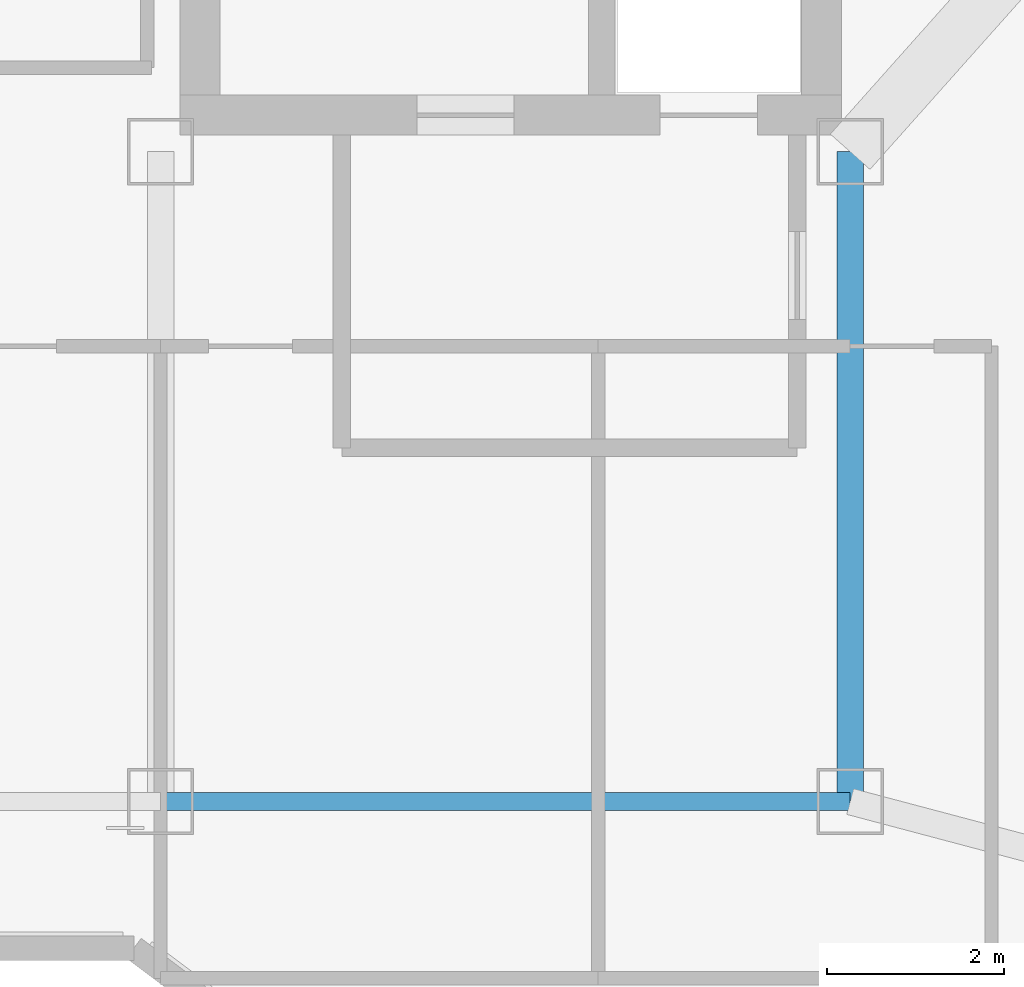
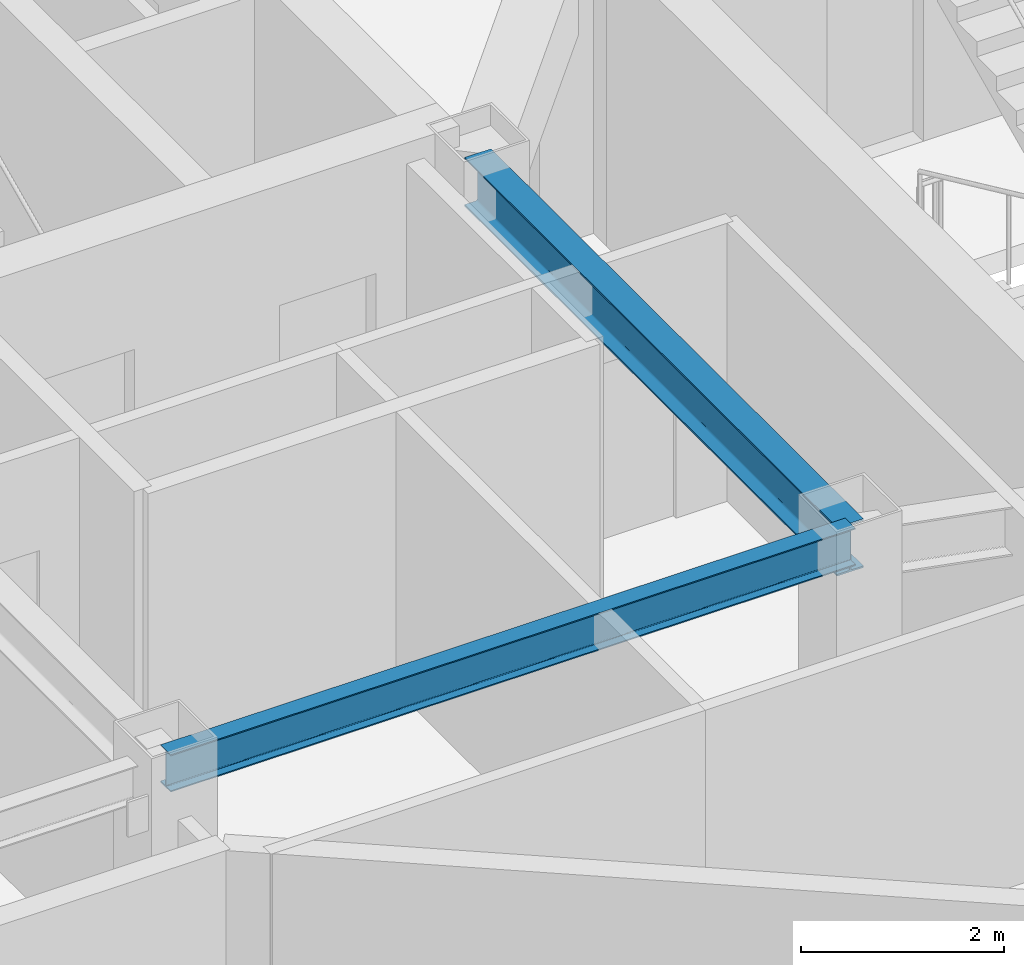
# One storey, part 5 of 26: 2 beams.
"""IFC4 building model written with IfcOpenShell, lengths in metres."""

from ifc_helpers import new_model, si_unit, direction, frame, origin, origin_2d, place, context, subcontext, project, spatial, i_section, extrude, material, material_profile, profile_set, type_object, element, save


model = new_model("IFC4")

# Units and contexts
model_context = context("Model", 3, precision=1e-05, world=origin(), true_north=direction((0.0, 1.0)))
body_context = subcontext(model_context, "Body", "Model", "MODEL_VIEW")
ifc_project = project(units=[si_unit("LENGTHUNIT", "METRE"), si_unit("AREAUNIT", "SQUARE_METRE"), si_unit("VOLUMEUNIT", "CUBIC_METRE"), si_unit("PLANEANGLEUNIT", "RADIAN"), si_unit("MASSUNIT", "GRAM", prefix="KILO")], contexts=[model_context])

# Site, building, storey
site_placement = place(None, origin())
site = spatial("IfcSite", under=ifc_project, at=site_placement, CompositionType="ELEMENT")
building_placement = place(site_placement, origin())
building = spatial("IfcBuilding", under=site, at=building_placement, Name="Hatsunagi Terrace Concourse", CompositionType="ELEMENT")
storey_placement = place(building_placement, frame((0.0, 0.0, 198.75)))
storey = spatial("IfcBuildingStorey", under=building, at=storey_placement, Name="L52", CompositionType="ELEMENT", Elevation=198.75)

# Beams
ifc_material_1 = material(Name="Steel SN490B", Category="steel")
ifc_material_profile_1 = material_profile(ifc_material_1, i_section(OverallWidth=0.300048828125, OverallDepth=0.587890625, WebThickness=0.011962890625, FlangeThickness=0.02001953125, FilletRadius=0.01806640625, at=origin_2d()), Name="H-588x300x12x20")
ifc_profile_set_1 = profile_set([ifc_material_profile_1], Name="Steel SN490B")
beam_type_1 = type_object("IfcBeamType", Name="OfficeHighGirder_H_588x300", PredefinedType="BEAM", material=ifc_profile_set_1)
beam_1_placement = place(storey_placement, frame((33.35009765625, 25.199951171875, 3.055908203125), z_axis=(0.0, 1.0, 0.0), x_axis=(-1.0, 0.0, 0.0)))
element("IfcBeam", 1, at=beam_1_placement, inside=storey, type_object=beam_type_1, Name="Beam G-06 BM-L52-K2CA", PredefinedType="BEAM", context=body_context, shape_type="SweptSolid", body=[
    extrude(i_section(OverallWidth=0.300048828125, OverallDepth=0.587890625, WebThickness=0.011962890625, FlangeThickness=0.02001953125, FilletRadius=0.01806640625, at=origin_2d()), origin(), (0.0, 0.0, 1.0), 7.35009765625),
])
ifc_material_2 = material(Name="Steel SN490B", Category="steel")
ifc_material_profile_2 = material_profile(ifc_material_2, i_section(OverallWidth=0.199951171875, OverallDepth=0.449951171875, WebThickness=0.009033203125, FlangeThickness=0.013916015625, FilletRadius=0.01611328125, at=origin_2d()), Name="H-450x200x9x14")
ifc_profile_set_2 = profile_set([ifc_material_profile_2], Name="Steel SN490B")
beam_type_2 = type_object("IfcBeamType", Name="PerimeterSpandrel_H_450x200", PredefinedType="SPANDREL", material=ifc_profile_set_2)
beam_2_placement = place(storey_placement, frame((25.550048828125, 25.199951171875, 3.125), z_axis=(1.0, 0.0, 0.0), x_axis=(0.0, 1.0, 0.0)))
element("IfcBeam", 2, at=beam_2_placement, inside=storey, type_object=beam_type_2, Name="Beam SP-02 BM-L52-WS-25", PredefinedType="SPANDREL", context=body_context, shape_type="SweptSolid", body=[
    extrude(i_section(OverallWidth=0.199951171875, OverallDepth=0.449951171875, WebThickness=0.009033203125, FlangeThickness=0.013916015625, FilletRadius=0.01611328125, at=origin_2d()), origin(), (0.0, 0.0, 1.0), 7.800048828125),
])

save(model, "model.ifc")
